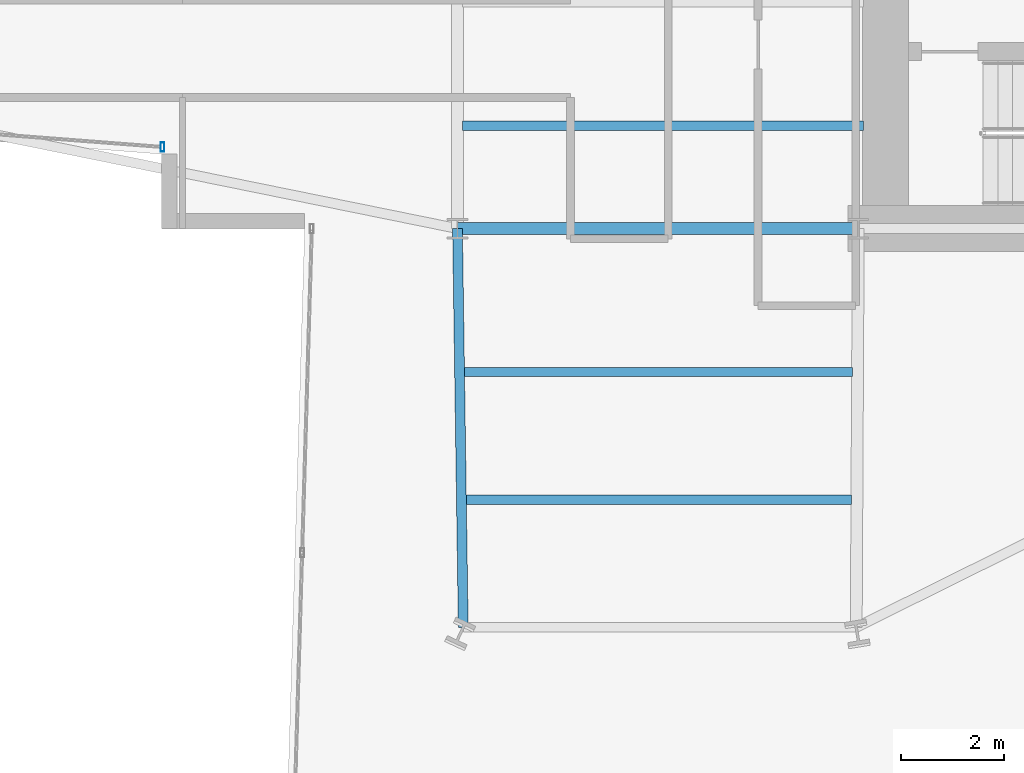
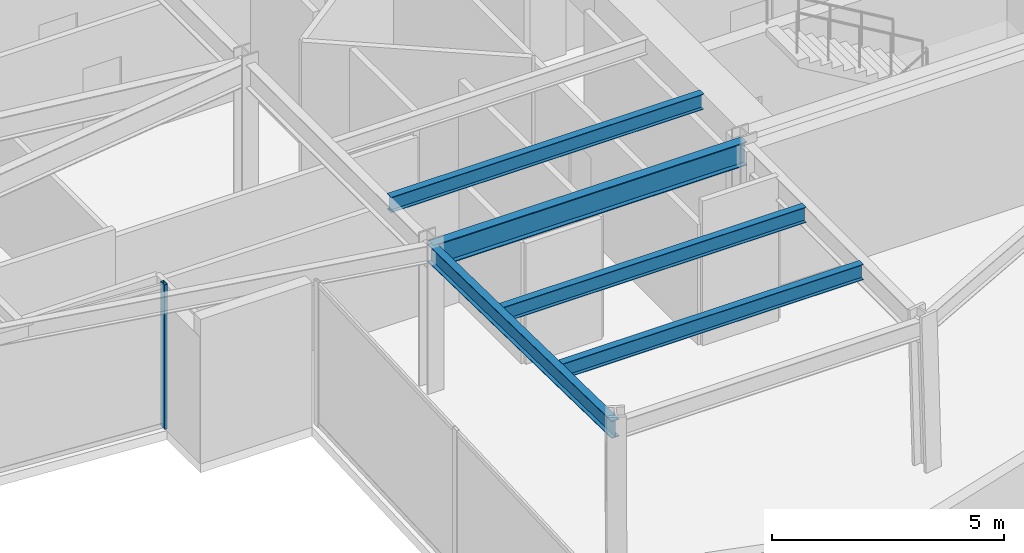
# One storey, part 5 of 28: 5 beams, 1 member, 1 element without a shape of its own.
"""IFC4 building model written with IfcOpenShell, lengths in metres."""

from ifc_helpers import new_model, si_unit, direction, frame, origin, origin_2d, place, context, subcontext, project, spatial, hollow_rectangle, i_section, extrude, material, layer, layer_set, material_profile, profile_set, type_object, element, aggregate, save


model = new_model("IFC4")

# Units and contexts
model_context = context("Model", 3, precision=1e-05, world=origin(), true_north=direction((0.0, 1.0)))
body_context = subcontext(model_context, "Body", "Model", "MODEL_VIEW")
ifc_project = project(units=[si_unit("LENGTHUNIT", "METRE"), si_unit("AREAUNIT", "SQUARE_METRE"), si_unit("VOLUMEUNIT", "CUBIC_METRE"), si_unit("PLANEANGLEUNIT", "RADIAN"), si_unit("MASSUNIT", "GRAM", prefix="KILO")], contexts=[model_context])

# Site, building, storey
site_placement = place(None, origin())
site = spatial("IfcSite", under=ifc_project, at=site_placement, CompositionType="ELEMENT")
building_placement = place(site_placement, origin())
building = spatial("IfcBuilding", under=site, at=building_placement, Name="Veymaron Broadcast Tower", CompositionType="ELEMENT")
storey_placement = place(building_placement, frame((0.0, 0.0, 45.89990234375)))
storey = spatial("IfcBuildingStorey", under=building, at=storey_placement, Name="L09", CompositionType="ELEMENT", Elevation=45.89990234375)

# Beams
ifc_material_1 = material(Name="Structural steel ASTM A992 Gr 50", Category="steel")
ifc_material_profile_1 = material_profile(ifc_material_1, i_section(OverallWidth=0.22998046875, OverallDepth=0.616943359375, WebThickness=0.01318359375, FlangeThickness=0.022216796875, at=origin_2d()), Name="W610X140")
ifc_profile_set_1 = profile_set([ifc_material_profile_1], Name="Structural steel ASTM A992 Gr 50")
beam_type_1 = type_object("IfcBeamType", Name="BM-FG1", PredefinedType="BEAM", material=ifc_profile_set_1)
beam_1_placement = place(storey_placement, frame((31.199951171875, 16.0, 3.501708984375), z_axis=(1.0, 0.0, 0.0), x_axis=(0.0, 1.0, 0.0)))
element("IfcBeam", 1, at=beam_1_placement, inside=storey, type_object=beam_type_1, Name="L09 primary structural floor girder", PredefinedType="BEAM", context=body_context, shape_type="SweptSolid", body=[
    extrude(i_section(OverallWidth=0.22998046875, OverallDepth=0.616943359375, WebThickness=0.01318359375, FlangeThickness=0.022216796875, at=origin_2d()), origin(), (0.0, 0.0, 1.0), 7.800048828125),
])
ifc_material_profile_2 = material_profile(ifc_material_1, i_section(OverallWidth=0.177978515625, OverallDepth=0.406982421875, WebThickness=0.0078125, FlangeThickness=0.0126953125, at=origin_2d()), Name="W410X60")
ifc_profile_set_2 = profile_set([ifc_material_profile_2], Name="Structural steel ASTM A992 Gr 50")
beam_type_2 = type_object("IfcBeamType", Name="BM-JS1", PredefinedType="JOIST", material=ifc_profile_set_2)
beam_2_placement = place(storey_placement, frame((31.34033203125, 13.206298828125, 3.606689453125), z_axis=(1.0, 0.0, 0.0), x_axis=(0.0, 1.0, 0.0)))
element("IfcBeam", 2, at=beam_2_placement, inside=storey, type_object=beam_type_2, Name="L09 Arm-C secondary joist 1", PredefinedType="JOIST", context=body_context, shape_type="SweptSolid", body=[
    extrude(i_section(OverallWidth=0.177978515625, OverallDepth=0.406982421875, WebThickness=0.0078125, FlangeThickness=0.0126953125, at=origin_2d()), origin(), (0.0, 0.0, 1.0), 7.545166015625),
])
beam_3_placement = place(storey_placement, frame((31.376220703125, 10.72314453125, 3.606689453125), z_axis=(1.0, 0.0, 0.0), x_axis=(0.0, 1.0, 0.0)))
element("IfcBeam", 3, at=beam_3_placement, inside=storey, type_object=beam_type_2, Name="L09 Arm-C secondary joist 2", PredefinedType="JOIST", context=body_context, shape_type="SweptSolid", body=[
    extrude(i_section(OverallWidth=0.177978515625, OverallDepth=0.406982421875, WebThickness=0.0078125, FlangeThickness=0.0126953125, at=origin_2d()), origin(), (0.0, 0.0, 1.0), 7.49658203125),
])
beam_4_placement = place(storey_placement, frame((31.300048828125, 18.0, 3.606689453125), z_axis=(1.0, 0.0, 0.0), x_axis=(0.0, 1.0, 0.0)))
element("IfcBeam", 4, at=beam_4_placement, inside=storey, type_object=beam_type_2, Name="L09 Hub secondary joist 1", PredefinedType="JOIST", context=body_context, shape_type="SweptSolid", body=[
    extrude(i_section(OverallWidth=0.177978515625, OverallDepth=0.406982421875, WebThickness=0.0078125, FlangeThickness=0.0126953125, at=origin_2d()), origin(), (0.0, 0.0, 1.0), 7.800048828125),
])
ifc_material_profile_3 = material_profile(ifc_material_1, i_section(OverallWidth=0.19091796875, OverallDepth=0.4599609375, WebThickness=0.010009765625, FlangeThickness=0.01611328125, at=origin_2d()), Name="W460X82")
ifc_profile_set_3 = profile_set([ifc_material_profile_3], Name="Structural steel ASTM A992 Gr 50")
beam_type_3 = type_object("IfcBeamType", Name="BM-SP1", PredefinedType="SPANDREL", material=ifc_profile_set_3)
beam_5_placement = place(storey_placement, frame((31.199951171875, 16.0, 3.580078125), z_axis=(0.014439268475, -0.999895748329, 0.0), x_axis=(0.999895748329, 0.014439268475, 0.0)))
element("IfcBeam", 5, at=beam_5_placement, inside=storey, type_object=beam_type_3, Name="L09 primary structural floor girder", PredefinedType="SPANDREL", context=body_context, shape_type="SweptSolid", body=[
    extrude(i_section(OverallWidth=0.19091796875, OverallDepth=0.4599609375, WebThickness=0.010009765625, FlangeThickness=0.01611328125, at=origin_2d()), origin(), (0.0, 0.0, 1.0), 7.7607421875),
])

# Curtain wall, member
ifc_material_2 = material(Name="Anodised aluminium AA 6063-T6 and laminated low-E dark glass", Category="aluminium")
ifc_layer = layer(ifc_material_2, 0.179931640625)
ifc_layer_set = layer_set([ifc_layer], Name="Anodised aluminium AA 6063-T6 and laminated low-E dark glass")
curtain_wall_type = type_object("IfcCurtainWallType", Name="CW-SYS-02", PredefinedType="NOTDEFINED", material=ifc_layer_set)
curtain_wall_placement = place(storey_placement, origin())
curtain_wall = element("IfcCurtainWall", 6, at=curtain_wall_placement, inside=storey, type_object=curtain_wall_type, Name="L09 dark-glass curtain wall CW-L09-E14-1", PredefinedType="NOTDEFINED")
ifc_material_3 = material(Name="Anodised aluminium AA 6063-T6", Category="aluminium")
ifc_material_profile_4 = material_profile(ifc_material_3, hollow_rectangle(XDim=0.074951171875, YDim=0.179931640625, WallThickness=0.0048828125, at=origin_2d()), Name="AL180X75X5")
ifc_profile_set_4 = profile_set([ifc_material_profile_4], Name="Anodised aluminium AA 6063-T6")
member_type = type_object("IfcMemberType", Name="CW-MUL-02", PredefinedType="MULLION", material=ifc_profile_set_4)
member_placement = place(storey_placement, frame((25.458740234375, 17.587890625, 0.0), z_axis=(0.0, 0.0, 1.0), x_axis=(1.0, 0.0, 0.0)))
member = element("IfcMember", 7, at=member_placement, type_object=member_type, Name="CW-L09-E14-1 mullion 3", PredefinedType="MULLION", context=body_context, shape_type="SweptSolid", body=[
    extrude(hollow_rectangle(XDim=0.074951171875, YDim=0.179931640625, WallThickness=0.0048828125, at=origin_2d()), origin(), (0.0, 0.0, 1.0), 3.81005859375),
])
aggregate(curtain_wall, [member])

save(model, "model.ifc")
